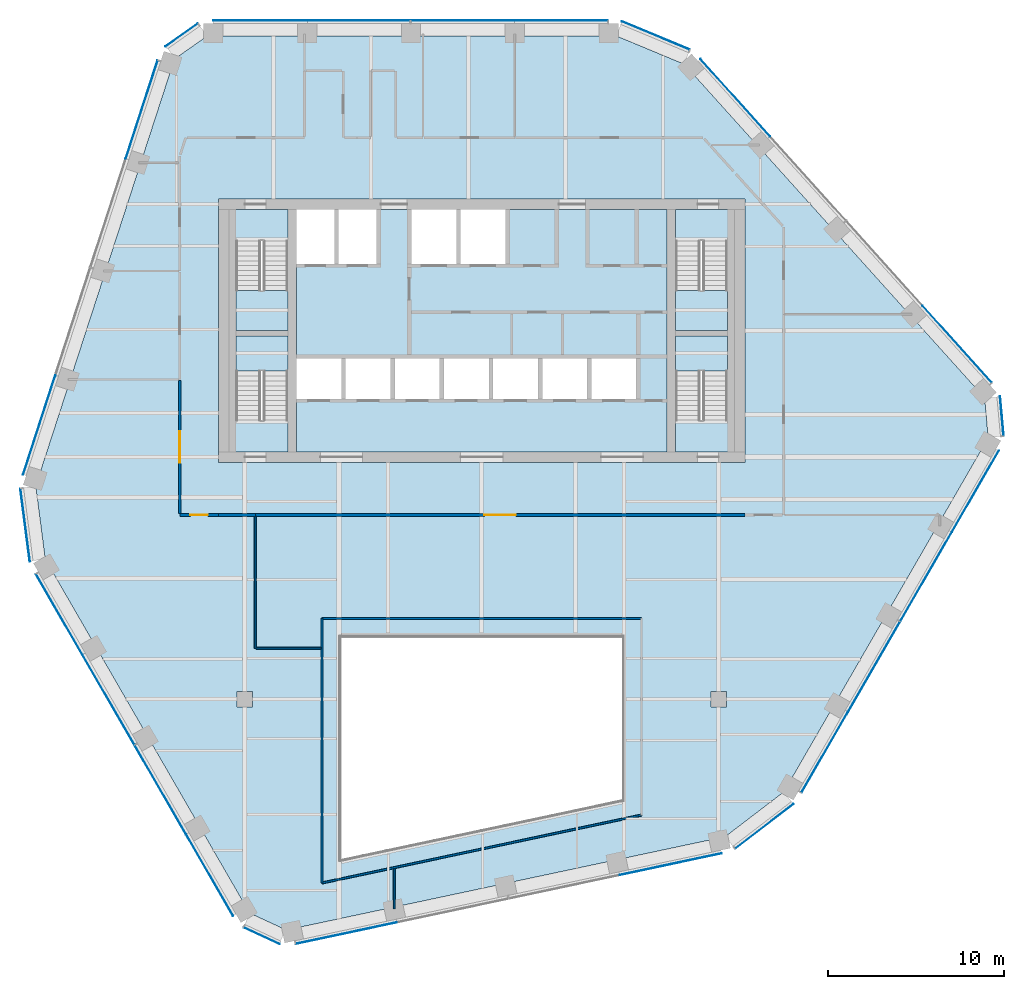
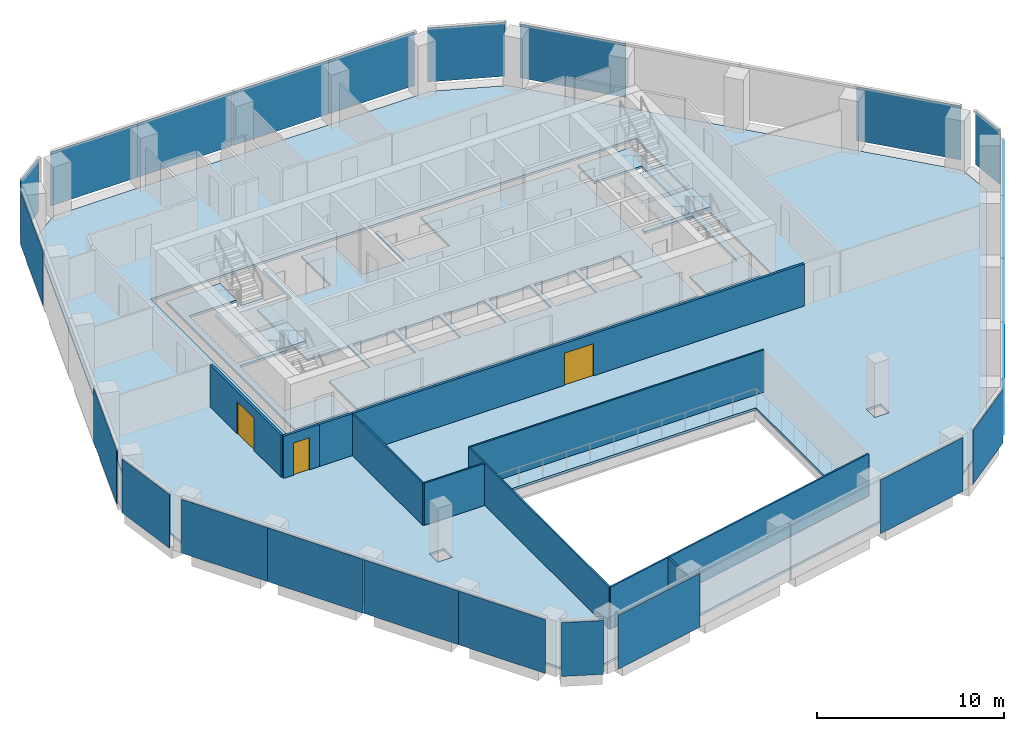
# One storey, part 8 of 15: 24 plates, 10 walls, 8 slabs, 3 doors, 3 openings, 16 elements without a shape of their own.
"""IFC4 building model written with IfcOpenShell, lengths in metres."""

from ifc_helpers import new_model, si_unit, direction, frame, frame_2d, origin, origin_2d, place, context, subcontext, project, spatial, polyline, rectangle, outline, extrude, material, layer, layer_set, type_object, element, fill, aggregate, save


model = new_model("IFC4")

# Units and contexts
model_context = context("Model", 3, precision=1e-05, world=origin(), true_north=direction((0.0, 1.0)))
body_context = subcontext(model_context, "Body", "Model", "MODEL_VIEW")
ifc_project = project(units=[si_unit("LENGTHUNIT", "METRE"), si_unit("AREAUNIT", "SQUARE_METRE"), si_unit("VOLUMEUNIT", "CUBIC_METRE"), si_unit("PLANEANGLEUNIT", "RADIAN"), si_unit("MASSUNIT", "GRAM", prefix="KILO")], contexts=[model_context])

# Site, building, storey
site_placement = place(None, origin())
site = spatial("IfcSite", under=ifc_project, at=site_placement, CompositionType="ELEMENT")
building_placement = place(site_placement, origin())
building = spatial("IfcBuilding", under=site, at=building_placement, Name="Isthmus Gate Tower", CompositionType="ELEMENT")
storey_placement = place(building_placement, frame((0.0, 0.0, 227.25)))
storey = spatial("IfcBuildingStorey", under=building, at=storey_placement, Name="L57", CompositionType="ELEMENT", Elevation=227.25)

# Slabs
ifc_material_1 = material(Name="Concrete f'c 40 MPa", Category="concrete")
ifc_layer_1 = layer(ifc_material_1, 0.14990234375)
ifc_layer_set_1 = layer_set([ifc_layer_1], Name="COMPOSITE FLOOR SLAB 150")
slab_type_1 = type_object("IfcSlabType", Name="COMPOSITE FLOOR SLAB 150", PredefinedType="FLOOR", material=ifc_layer_set_1)
slab_1_placement = place(storey_placement, frame((0.0, 0.0, -0.14990234375)))
element("IfcSlab", 1, at=slab_1_placement, inside=storey, type_object=slab_type_1, Name="str-slab-L57-1", PredefinedType="FLOOR", context=body_context, shape_type="SweptSolid", body=[
    extrude(outline(polyline([(11.539794921875, 22.68310546875), (28.65380859375, 3.67626953125), (28.859375, 1.3857421875), (17.21875, -18.7763671875), (13.874267578125, -21.335205078125), (-11.143310546875, -26.65283203125), (-13.2294921875, -25.685791015625), (-24.8701171875, -5.523681640625), (-25.4140625, -1.347900390625), (-17.510498046875, 22.976806640625), (-15.629638671875, 24.300048828125), (7.6513671875, 24.300048828125), (11.539794921875, 22.68310546875)]), holes=[polyline([(-8.0, -10.0), (-8.0, -22.611083984375), (8.0, -19.210205078125), (8.0, -10.0), (-8.0, -10.0)]), polyline([(-13.949951171875, -13.050048828125), (-13.949951171875, -13.949951171875), (-13.050048828125, -13.949951171875), (-13.050048828125, -13.050048828125), (-13.949951171875, -13.050048828125)]), polyline([(13.050048828125, -13.050048828125), (13.050048828125, -13.949951171875), (13.949951171875, -13.949951171875), (13.949951171875, -13.050048828125), (13.050048828125, -13.050048828125)]), polyline([(-15.0, 0.0), (15.0, 0.0), (15.0, 15.0), (-15.0, 15.0), (-15.0, 0.0)])]), origin(), (0.0, 0.0, 1.0), 0.14990234375),
])
ifc_material_2 = material(Name="Concrete f'c 40 MPa", Category="concrete")
ifc_layer_2 = layer(ifc_material_2, 0.14990234375)
ifc_layer_set_2 = layer_set([ifc_layer_2], Name="CORE FLOOR SLAB 150")
slab_type_2 = type_object("IfcSlabType", Name="CORE FLOOR SLAB 150", PredefinedType="FLOOR", material=ifc_layer_set_2)
slab_2_placement = place(storey_placement, frame((0.0, 0.0, -0.14990234375)))
element("IfcSlab", 2, at=slab_2_placement, inside=storey, type_object=slab_type_2, Name="L57 core floor", PredefinedType="FLOOR", context=body_context, shape_type="SweptSolid", body=[
    extrude(outline(polyline([(-11.050048828125, 0.60009765625), (-11.050048828125, 2.402099609375), (-14.0, 2.402099609375), (-14.0, 7.199951171875), (-11.050048828125, 7.199951171875), (-11.050048828125, 7.5), (-14.0, 7.5), (-14.0, 12.597900390625), (-11.050048828125, 12.597900390625), (-11.050048828125, 14.39990234375), (-14.39990234375, 14.39990234375), (-14.39990234375, 0.60009765625), (-11.050048828125, 0.60009765625)])), origin(), (0.0, 0.0, 1.0), 0.14990234375),
])
slab_3_placement = place(storey_placement, frame((0.0, 0.0, -0.14990234375)))
element("IfcSlab", 3, at=slab_3_placement, inside=storey, type_object=slab_type_2, Name="L57 core floor", PredefinedType="FLOOR", context=body_context, shape_type="SweptSolid", body=[
    extrude(outline(polyline([(10.550048828125, 14.39990234375), (1.35009765625, 14.39990234375), (1.35009765625, 11.300048828125), (-1.199951171875, 11.300048828125), (-1.199951171875, 14.39990234375), (-1.449951171875, 14.39990234375), (-1.449951171875, 11.300048828125), (-4.0, 11.300048828125), (-4.0, 14.39990234375), (-6.0, 14.39990234375), (-6.0, 11.300048828125), (-8.14990234375, 11.300048828125), (-8.14990234375, 14.39990234375), (-8.39990234375, 14.39990234375), (-8.39990234375, 11.300048828125), (-10.550048828125, 11.300048828125), (-10.550048828125, 5.89990234375), (-8.0, 5.89990234375), (-8.0, 3.60009765625), (-10.550048828125, 3.60009765625), (-10.550048828125, 0.60009765625), (10.550048828125, 0.60009765625), (10.550048828125, 14.39990234375)]), holes=[polyline([(-5.199951171875, 5.89990234375), (-5.199951171875, 3.60009765625), (-7.75, 3.60009765625), (-7.75, 5.89990234375), (-5.199951171875, 5.89990234375)]), polyline([(-2.39990234375, 5.89990234375), (-2.39990234375, 3.60009765625), (-4.949951171875, 3.60009765625), (-4.949951171875, 5.89990234375), (-2.39990234375, 5.89990234375)]), polyline([(0.39990234375, 5.89990234375), (0.39990234375, 3.60009765625), (-2.14990234375, 3.60009765625), (-2.14990234375, 5.89990234375), (0.39990234375, 5.89990234375)]), polyline([(3.199951171875, 5.89990234375), (3.199951171875, 3.60009765625), (0.64990234375, 3.60009765625), (0.64990234375, 5.89990234375), (3.199951171875, 5.89990234375)]), polyline([(6.0, 5.89990234375), (6.0, 3.60009765625), (3.449951171875, 3.60009765625), (3.449951171875, 5.89990234375), (6.0, 5.89990234375)]), polyline([(8.800048828125, 5.89990234375), (8.800048828125, 3.60009765625), (6.25, 3.60009765625), (6.25, 5.89990234375), (8.800048828125, 5.89990234375)])]), origin(), (0.0, 0.0, 1.0), 0.14990234375),
])
slab_4_placement = place(storey_placement, frame((0.0, 0.0, -0.14990234375)))
element("IfcSlab", 4, at=slab_4_placement, inside=storey, type_object=slab_type_2, Name="L57 core floor", PredefinedType="FLOOR", context=body_context, shape_type="SweptSolid", body=[
    extrude(outline(polyline([(11.050048828125, 14.39990234375), (11.050048828125, 12.597900390625), (14.0, 12.597900390625), (14.0, 7.5), (11.050048828125, 7.5), (11.050048828125, 7.199951171875), (14.0, 7.199951171875), (14.0, 2.402099609375), (11.050048828125, 2.402099609375), (11.050048828125, 0.60009765625), (14.39990234375, 0.60009765625), (14.39990234375, 14.39990234375), (11.050048828125, 14.39990234375)])), origin(), (0.0, 0.0, 1.0), 0.14990234375),
])

# Curtain wall, plates
ifc_material_3 = material(Name="Aluminium, pale champagne anodised", Category="aluminium")
ifc_layer_3 = layer(ifc_material_3, 0.199951171875)
ifc_layer_set_3 = layer_set([ifc_layer_3], Name="CW-1 UNITISED CURTAIN WALL 200 DEEP")
curtain_wall_type = type_object("IfcCurtainWallType", Name="CW-1 UNITISED CURTAIN WALL 200 DEEP", PredefinedType="NOTDEFINED", material=ifc_layer_set_3)
curtain_wall_1_placement = place(storey_placement, origin())
curtain_wall_1 = element("IfcCurtainWall", 5, at=curtain_wall_1_placement, inside=storey, type_object=curtain_wall_type, Name="CW-1 N L57", PredefinedType="NOTDEFINED")
ifc_material_4 = material(Name="Laminated low-iron glass, pale blue tint", Category="glass")
ifc_layer_4 = layer(ifc_material_4, 0.031982421875)
ifc_layer_set_4 = layer_set([ifc_layer_4], Name="CW-1 CLEAR GLASS LITE 32")
plate_type = type_object("IfcPlateType", Name="CW-1 CLEAR GLASS LITE 32", PredefinedType="CURTAIN_PANEL", material=ifc_layer_set_4)
plate_1_placement = place(storey_placement, frame((4.53076171875, 25.18408203125, 0.0), z_axis=(0.0, 0.0, 1.0), x_axis=(-1.0, 0.0, 0.0)))
plate_1 = element("IfcPlate", 6, at=plate_1_placement, type_object=plate_type, Name="CW-1 glass lite", PredefinedType="CURTAIN_PANEL", context=body_context, shape_type="SweptSolid", body=[
    extrude(rectangle(XDim=5.300537109375, YDim=0.031982421875, at=origin_2d()), origin(), (0.0, 0.0, 1.0), 3.52001953125),
])
plate_2_placement = place(storey_placement, frame((-1.07470703125, 25.18408203125, 0.0), z_axis=(0.0, 0.0, 1.0), x_axis=(-1.0, 0.0, 0.0)))
plate_2 = element("IfcPlate", 7, at=plate_2_placement, type_object=plate_type, Name="CW-1 glass lite", PredefinedType="CURTAIN_PANEL", context=body_context, shape_type="SweptSolid", body=[
    extrude(rectangle(XDim=5.91064453125, YDim=0.031982421875, at=origin_2d()), origin(), (0.0, 0.0, 1.0), 3.52001953125),
])
plate_3_placement = place(storey_placement, frame((-7.015380859375, 25.18408203125, 0.0), z_axis=(0.0, 0.0, 1.0), x_axis=(-1.0, 0.0, 0.0)))
plate_3 = element("IfcPlate", 8, at=plate_3_placement, type_object=plate_type, Name="CW-1 glass lite", PredefinedType="CURTAIN_PANEL", context=body_context, shape_type="SweptSolid", body=[
    extrude(rectangle(XDim=5.8505859375, YDim=0.031982421875, at=origin_2d()), origin(), (0.0, 0.0, 1.0), 3.52001953125),
])
plate_4_placement = place(storey_placement, frame((-12.62109375, 25.18408203125, 0.0), z_axis=(0.0, 0.0, 1.0), x_axis=(-1.0, 0.0, 0.0)))
plate_4 = element("IfcPlate", 9, at=plate_4_placement, type_object=plate_type, Name="CW-1 glass lite", PredefinedType="CURTAIN_PANEL", context=body_context, shape_type="SweptSolid", body=[
    extrude(rectangle(XDim=5.360595703125, YDim=0.031982421875, at=origin_2d()), origin(), (0.0, 0.0, 1.0), 3.52001953125),
])
aggregate(curtain_wall_1, [plate_1, plate_2, plate_3, plate_4])

# Curtain wall, plate
curtain_wall_2_placement = place(storey_placement, origin())
curtain_wall_2 = element("IfcCurtainWall", 10, at=curtain_wall_2_placement, inside=storey, type_object=curtain_wall_type, Name="CW-1 N-NW L57", PredefinedType="NOTDEFINED")
plate_5_placement = place(storey_placement, frame((-17.1025390625, 24.3447265625, 0.0), z_axis=(0.0, 0.0, 1.0), x_axis=(-0.81785959165, -0.57541783805, 0.0)))
plate_5 = element("IfcPlate", 11, at=plate_5_placement, type_object=plate_type, Name="CW-1 glass lite", PredefinedType="CURTAIN_PANEL", context=body_context, shape_type="SweptSolid", body=[
    extrude(rectangle(XDim=2.258544921875, YDim=0.031982421875, at=origin_2d()), origin(), (0.0, 0.0, 1.0), 3.52001953125),
])
aggregate(curtain_wall_2, [plate_5])

# Curtain wall, plates
curtain_wall_3_placement = place(storey_placement, origin())
curtain_wall_3 = element("IfcCurtainWall", 12, at=curtain_wall_3_placement, inside=storey, type_object=curtain_wall_type, Name="CW-1 NW L57", PredefinedType="NOTDEFINED")
plate_6_placement = place(storey_placement, frame((-19.37646484375, 20.0947265625, 0.0), z_axis=(0.0, 0.0, 1.0), x_axis=(-0.309016994375, -0.951056516295, 0.0)))
plate_6 = element("IfcPlate", 13, at=plate_6_placement, type_object=plate_type, Name="CW-1 glass lite", PredefinedType="CURTAIN_PANEL", context=body_context, shape_type="SweptSolid", body=[
    extrude(rectangle(XDim=5.8818359375, YDim=0.031982421875, at=origin_2d()), origin(), (0.0, 0.0, 1.0), 3.52001953125),
])
plate_7_placement = place(storey_placement, frame((-25.215576171875, 2.123779296875, 0.0), z_axis=(0.0, 0.0, 1.0), x_axis=(-0.309016994375, -0.951056516295, 0.0)))
plate_7 = element("IfcPlate", 14, at=plate_7_placement, type_object=plate_type, Name="CW-1 glass lite", PredefinedType="CURTAIN_PANEL", context=body_context, shape_type="SweptSolid", body=[
    extrude(rectangle(XDim=5.94189453125, YDim=0.031982421875, at=origin_2d()), origin(), (0.0, 0.0, 1.0), 3.52001953125),
])
aggregate(curtain_wall_3, [plate_6, plate_7])

# Curtain wall, plate
curtain_wall_4_placement = place(storey_placement, origin())
curtain_wall_4 = element("IfcCurtainWall", 15, at=curtain_wall_4_placement, inside=storey, type_object=curtain_wall_type, Name="CW-1 NW-SW L57", PredefinedType="NOTDEFINED")
plate_8_placement = place(storey_placement, frame((-26.014892578125, -3.57958984375, 0.0), z_axis=(0.0, 0.0, 1.0), x_axis=(0.129164534, -0.991623175988, 0.0)))
plate_8 = element("IfcPlate", 16, at=plate_8_placement, type_object=plate_type, Name="CW-1 glass lite", PredefinedType="CURTAIN_PANEL", context=body_context, shape_type="SweptSolid", body=[
    extrude(rectangle(XDim=4.181396484375, YDim=0.031982421875, at=origin_2d()), origin(), (0.0, 0.0, 1.0), 3.52001953125),
])
aggregate(curtain_wall_4, [plate_8])

# Curtain wall, plates
curtain_wall_5_placement = place(storey_placement, origin())
curtain_wall_5 = element("IfcCurtainWall", 17, at=curtain_wall_5_placement, inside=storey, type_object=curtain_wall_type, Name="CW-1 SW L57", PredefinedType="NOTDEFINED")
plate_9_placement = place(storey_placement, frame((-24.075439453125, -8.668212890625, 0.0), z_axis=(0.0, 0.0, 1.0), x_axis=(0.5, -0.866025403784, 0.0)))
plate_9 = element("IfcPlate", 18, at=plate_9_placement, type_object=plate_type, Name="CW-1 glass lite", PredefinedType="CURTAIN_PANEL", context=body_context, shape_type="SweptSolid", body=[
    extrude(rectangle(XDim=5.300537109375, YDim=0.031982421875, at=origin_2d()), origin(), (0.0, 0.0, 1.0), 3.52001953125),
])
plate_10_placement = place(storey_placement, frame((-21.272705078125, -13.522705078125, 0.0), z_axis=(0.0, 0.0, 1.0), x_axis=(0.5, -0.866025403784, 0.0)))
plate_10 = element("IfcPlate", 19, at=plate_10_placement, type_object=plate_type, Name="CW-1 glass lite", PredefinedType="CURTAIN_PANEL", context=body_context, shape_type="SweptSolid", body=[
    extrude(rectangle(XDim=5.91064453125, YDim=0.031982421875, at=origin_2d()), origin(), (0.0, 0.0, 1.0), 3.52001953125),
])
plate_11_placement = place(storey_placement, frame((-18.30224609375, -18.66748046875, 0.0), z_axis=(0.0, 0.0, 1.0), x_axis=(0.5, -0.866025403784, 0.0)))
plate_11 = element("IfcPlate", 20, at=plate_11_placement, type_object=plate_type, Name="CW-1 glass lite", PredefinedType="CURTAIN_PANEL", context=body_context, shape_type="SweptSolid", body=[
    extrude(rectangle(XDim=5.8505859375, YDim=0.031982421875, at=origin_2d()), origin(), (0.0, 0.0, 1.0), 3.52001953125),
])
plate_12_placement = place(storey_placement, frame((-15.49951171875, -23.52197265625, 0.0), z_axis=(0.0, 0.0, 1.0), x_axis=(0.5, -0.866025403784, 0.0)))
plate_12 = element("IfcPlate", 21, at=plate_12_placement, type_object=plate_type, Name="CW-1 glass lite", PredefinedType="CURTAIN_PANEL", context=body_context, shape_type="SweptSolid", body=[
    extrude(rectangle(XDim=5.360595703125, YDim=0.031982421875, at=origin_2d()), origin(), (0.0, 0.0, 1.0), 3.52001953125),
])
aggregate(curtain_wall_5, [plate_9, plate_10, plate_11, plate_12])

# Curtain wall, plate
curtain_wall_6_placement = place(storey_placement, origin())
curtain_wall_6 = element("IfcCurtainWall", 22, at=curtain_wall_6_placement, inside=storey, type_object=curtain_wall_type, Name="CW-1 SW-S L57", PredefinedType="NOTDEFINED")
plate_13_placement = place(storey_placement, frame((-12.531982421875, -26.9833984375, 0.0), z_axis=(0.0, 0.0, 1.0), x_axis=(0.907256261367, -0.420578264073, 0.0)))
plate_13 = element("IfcPlate", 23, at=plate_13_placement, type_object=plate_type, Name="CW-1 glass lite", PredefinedType="CURTAIN_PANEL", context=body_context, shape_type="SweptSolid", body=[
    extrude(rectangle(XDim=2.258544921875, YDim=0.031982421875, at=origin_2d()), origin(), (0.0, 0.0, 1.0), 3.52001953125),
])
aggregate(curtain_wall_6, [plate_13])

# Curtain wall, plates
curtain_wall_7_placement = place(storey_placement, origin())
curtain_wall_7 = element("IfcCurtainWall", 24, at=curtain_wall_7_placement, inside=storey, type_object=curtain_wall_type, Name="CW-1 S L57", PredefinedType="NOTDEFINED")
plate_14_placement = place(storey_placement, frame((-7.71435546875, -26.827880859375, 0.0), z_axis=(0.0, 0.0, 1.0), x_axis=(0.978147600734, 0.207911690818, 0.0)))
plate_14 = element("IfcPlate", 25, at=plate_14_placement, type_object=plate_type, Name="CW-1 glass lite", PredefinedType="CURTAIN_PANEL", context=body_context, shape_type="SweptSolid", body=[
    extrude(rectangle(XDim=5.8818359375, YDim=0.031982421875, at=origin_2d()), origin(), (0.0, 0.0, 1.0), 3.52001953125),
])
plate_15_placement = place(storey_placement, frame((10.7685546875, -22.899169921875, 0.0), z_axis=(0.0, 0.0, 1.0), x_axis=(0.978147600734, 0.207911690818, 0.0)))
plate_15 = element("IfcPlate", 26, at=plate_15_placement, type_object=plate_type, Name="CW-1 glass lite", PredefinedType="CURTAIN_PANEL", context=body_context, shape_type="SweptSolid", body=[
    extrude(rectangle(XDim=5.94189453125, YDim=0.031982421875, at=origin_2d()), origin(), (0.0, 0.0, 1.0), 3.52001953125),
])
aggregate(curtain_wall_7, [plate_14, plate_15])

# Curtain wall, plate
curtain_wall_8_placement = place(storey_placement, origin())
curtain_wall_8 = element("IfcCurtainWall", 27, at=curtain_wall_8_placement, inside=storey, type_object=curtain_wall_type, Name="CW-1 S-SE L57", PredefinedType="NOTDEFINED")
plate_16_placement = place(storey_placement, frame((16.107421875, -20.73974609375, 0.0), z_axis=(0.0, 0.0, 1.0), x_axis=(0.794188594387, 0.607671355706, 0.0)))
plate_16 = element("IfcPlate", 28, at=plate_16_placement, type_object=plate_type, Name="CW-1 glass lite", PredefinedType="CURTAIN_PANEL", context=body_context, shape_type="SweptSolid", body=[
    extrude(rectangle(XDim=4.181396484375, YDim=0.031982421875, at=origin_2d()), origin(), (0.0, 0.0, 1.0), 3.52001953125),
])
aggregate(curtain_wall_8, [plate_16])

# Curtain wall, plates
curtain_wall_9_placement = place(storey_placement, origin())
curtain_wall_9 = element("IfcCurtainWall", 29, at=curtain_wall_9_placement, inside=storey, type_object=curtain_wall_type, Name="CW-1 SE L57", PredefinedType="NOTDEFINED")
plate_17_placement = place(storey_placement, frame((19.544677734375, -16.515869140625, 0.0), z_axis=(0.0, 0.0, 1.0), x_axis=(0.5, 0.866025403784, 0.0)))
plate_17 = element("IfcPlate", 30, at=plate_17_placement, type_object=plate_type, Name="CW-1 glass lite", PredefinedType="CURTAIN_PANEL", context=body_context, shape_type="SweptSolid", body=[
    extrude(rectangle(XDim=5.300537109375, YDim=0.031982421875, at=origin_2d()), origin(), (0.0, 0.0, 1.0), 3.52001953125),
])
plate_18_placement = place(storey_placement, frame((22.347412109375, -11.6611328125, 0.0), z_axis=(0.0, 0.0, 1.0), x_axis=(0.5, 0.866025403784, 0.0)))
plate_18 = element("IfcPlate", 31, at=plate_18_placement, type_object=plate_type, Name="CW-1 glass lite", PredefinedType="CURTAIN_PANEL", context=body_context, shape_type="SweptSolid", body=[
    extrude(rectangle(XDim=5.91064453125, YDim=0.031982421875, at=origin_2d()), origin(), (0.0, 0.0, 1.0), 3.52001953125),
])
plate_19_placement = place(storey_placement, frame((25.317626953125, -6.5166015625, 0.0), z_axis=(0.0, 0.0, 1.0), x_axis=(0.5, 0.866025403784, 0.0)))
plate_19 = element("IfcPlate", 32, at=plate_19_placement, type_object=plate_type, Name="CW-1 glass lite", PredefinedType="CURTAIN_PANEL", context=body_context, shape_type="SweptSolid", body=[
    extrude(rectangle(XDim=5.8505859375, YDim=0.031982421875, at=origin_2d()), origin(), (0.0, 0.0, 1.0), 3.52001953125),
])
plate_20_placement = place(storey_placement, frame((28.120361328125, -1.661865234375, 0.0), z_axis=(0.0, 0.0, 1.0), x_axis=(0.5, 0.866025403784, 0.0)))
plate_20 = element("IfcPlate", 33, at=plate_20_placement, type_object=plate_type, Name="CW-1 glass lite", PredefinedType="CURTAIN_PANEL", context=body_context, shape_type="SweptSolid", body=[
    extrude(rectangle(XDim=5.360595703125, YDim=0.031982421875, at=origin_2d()), origin(), (0.0, 0.0, 1.0), 3.52001953125),
])
aggregate(curtain_wall_9, [plate_17, plate_18, plate_19, plate_20])

# Curtain wall, plate
curtain_wall_10_placement = place(storey_placement, origin())
curtain_wall_10 = element("IfcCurtainWall", 34, at=curtain_wall_10_placement, inside=storey, type_object=curtain_wall_type, Name="CW-1 SE-NE L57", PredefinedType="NOTDEFINED")
plate_21_placement = place(storey_placement, frame((29.63427734375, 2.638671875, 0.0), z_axis=(0.0, 0.0, 1.0), x_axis=(-0.089396669717, 0.995996102123, 0.0)))
plate_21 = element("IfcPlate", 35, at=plate_21_placement, type_object=plate_type, Name="CW-1 glass lite", PredefinedType="CURTAIN_PANEL", context=body_context, shape_type="SweptSolid", body=[
    extrude(rectangle(XDim=2.258544921875, YDim=0.031982421875, at=origin_2d()), origin(), (0.0, 0.0, 1.0), 3.52001953125),
])
aggregate(curtain_wall_10, [plate_21])

# Curtain wall, plates
curtain_wall_11_placement = place(storey_placement, origin())
curtain_wall_11 = element("IfcCurtainWall", 36, at=curtain_wall_11_placement, inside=storey, type_object=curtain_wall_type, Name="CW-1 NE L57", PredefinedType="NOTDEFINED")
plate_22_placement = place(storey_placement, frame((27.0908203125, 6.733154296875, 0.0), z_axis=(0.0, 0.0, 1.0), x_axis=(-0.669130606359, 0.743144825477, 0.0)))
plate_22 = element("IfcPlate", 37, at=plate_22_placement, type_object=plate_type, Name="CW-1 glass lite", PredefinedType="CURTAIN_PANEL", context=body_context, shape_type="SweptSolid", body=[
    extrude(rectangle(XDim=5.8818359375, YDim=0.031982421875, at=origin_2d()), origin(), (0.0, 0.0, 1.0), 3.52001953125),
])
plate_23_placement = place(storey_placement, frame((14.447021484375, 20.775390625, 0.0), z_axis=(0.0, 0.0, 1.0), x_axis=(-0.669130606359, 0.743144825477, 0.0)))
plate_23 = element("IfcPlate", 38, at=plate_23_placement, type_object=plate_type, Name="CW-1 glass lite", PredefinedType="CURTAIN_PANEL", context=body_context, shape_type="SweptSolid", body=[
    extrude(rectangle(XDim=5.94189453125, YDim=0.031982421875, at=origin_2d()), origin(), (0.0, 0.0, 1.0), 3.52001953125),
])
aggregate(curtain_wall_11, [plate_22, plate_23])

# Curtain wall, plate
curtain_wall_12_placement = place(storey_placement, origin())
curtain_wall_12 = element("IfcCurtainWall", 39, at=curtain_wall_12_placement, inside=storey, type_object=curtain_wall_type, Name="CW-1 NE-N L57", PredefinedType="NOTDEFINED")
plate_24_placement = place(storey_placement, frame((9.907470703125, 24.3193359375, 0.0), z_axis=(0.0, 0.0, 1.0), x_axis=(-0.923353128387, 0.383951820282, 0.0)))
plate_24 = element("IfcPlate", 40, at=plate_24_placement, type_object=plate_type, Name="CW-1 glass lite", PredefinedType="CURTAIN_PANEL", context=body_context, shape_type="SweptSolid", body=[
    extrude(rectangle(XDim=4.181396484375, YDim=0.031982421875, at=origin_2d()), origin(), (0.0, 0.0, 1.0), 3.52001953125),
])
aggregate(curtain_wall_12, [plate_24])

# Stair, slab
ifc_material_5 = material(Name="Concrete f'c 40 MPa", Category="concrete")
stair_type = type_object("IfcStairType", Name="CORE STAIR 22 RISERS", PredefinedType="HALF_TURN_STAIR", material=ifc_material_5)
stair_1_placement = place(storey_placement, origin())
stair_1 = element("IfcStair", 41, at=stair_1_placement, inside=storey, type_object=stair_type, Name="L57 Exit Stair 1", PredefinedType="HALF_TURN_STAIR")
ifc_material_6 = material(Name="Concrete f'c 40 MPa", Category="concrete")
ifc_layer_5 = layer(ifc_material_6, 0.199951171875)
ifc_layer_set_5 = layer_set([ifc_layer_5])
slab_type_3 = type_object("IfcSlabType", Name="STAIR LANDING RC 200", PredefinedType="LANDING", material=ifc_layer_set_5)
slab_5_placement = place(storey_placement, frame((0.0, 0.0, 1.625)))
slab_5 = element("IfcSlab", 42, at=slab_5_placement, type_object=slab_type_3, Name="ST1 landing 1", PredefinedType="LANDING", context=body_context, shape_type="SweptSolid", body=[
    extrude(outline(polyline([(-14.0, 9.800048828125), (-14.0, 7.5), (-11.050048828125, 7.5), (-11.050048828125, 9.800048828125), (-14.0, 9.800048828125)])), origin(), (0.0, 0.0, 1.0), 0.199951171875),
])
aggregate(stair_1, [slab_5])

stair_2_placement = place(storey_placement, origin())
stair_2 = element("IfcStair", 43, at=stair_2_placement, inside=storey, type_object=stair_type, Name="L57 Exit Stair 2", PredefinedType="HALF_TURN_STAIR")
slab_6_placement = place(storey_placement, frame((0.0, 0.0, 1.625)))
slab_6 = element("IfcSlab", 44, at=slab_6_placement, type_object=slab_type_3, Name="ST2 landing 1", PredefinedType="LANDING", context=body_context, shape_type="SweptSolid", body=[
    extrude(outline(polyline([(11.050048828125, 9.800048828125), (11.050048828125, 7.5), (14.0, 7.5), (14.0, 9.800048828125), (11.050048828125, 9.800048828125)])), origin(), (0.0, 0.0, 1.0), 0.199951171875),
])
aggregate(stair_2, [slab_6])

stair_3_placement = place(storey_placement, origin())
stair_3 = element("IfcStair", 45, at=stair_3_placement, inside=storey, type_object=stair_type, Name="L57 Exit Stair 7", PredefinedType="HALF_TURN_STAIR")
slab_7_placement = place(storey_placement, frame((0.0, 0.0, 1.625)))
slab_7 = element("IfcSlab", 46, at=slab_7_placement, type_object=slab_type_3, Name="ST7 landing 1", PredefinedType="LANDING", context=body_context, shape_type="SweptSolid", body=[
    extrude(outline(polyline([(-11.050048828125, 5.199951171875), (-11.050048828125, 7.199951171875), (-14.0, 7.199951171875), (-14.0, 5.199951171875), (-11.050048828125, 5.199951171875)])), origin(), (0.0, 0.0, 1.0), 0.199951171875),
])
aggregate(stair_3, [slab_7])

stair_4_placement = place(storey_placement, origin())
stair_4 = element("IfcStair", 47, at=stair_4_placement, inside=storey, type_object=stair_type, Name="L57 Exit Stair 8", PredefinedType="HALF_TURN_STAIR")
slab_8_placement = place(storey_placement, frame((0.0, 0.0, 1.625)))
slab_8 = element("IfcSlab", 48, at=slab_8_placement, type_object=slab_type_3, Name="ST8 landing 1", PredefinedType="LANDING", context=body_context, shape_type="SweptSolid", body=[
    extrude(outline(polyline([(14.0, 5.199951171875), (14.0, 7.199951171875), (11.050048828125, 7.199951171875), (11.050048828125, 5.199951171875), (14.0, 5.199951171875)])), origin(), (0.0, 0.0, 1.0), 0.199951171875),
])
aggregate(stair_4, [slab_8])

# Walls
ifc_material_7 = material(Name="Fire-rated laminated glass in steel frame", Category="steel")
ifc_layer_6 = layer(ifc_material_7, 0.10009765625)
ifc_layer_set_6 = layer_set([ifc_layer_6], Name="ATRIUM SCREEN GLAZED WALL 100 120 MIN")
wall_type_1 = type_object("IfcWallType", Name="ATRIUM SCREEN GLAZED WALL 100 120 MIN", PredefinedType="PARTITIONING", material=ifc_layer_set_6)
wall_1_placement = place(storey_placement, frame((-9.10009765625, -8.89990234375, 0.0), z_axis=(0.0, 0.0, 1.0), x_axis=(1.0, 0.0, 0.0)))
element("IfcWall", 49, at=wall_1_placement, inside=storey, type_object=wall_type_1, Name="L57 atrium screen", PredefinedType="PARTITIONING", context=body_context, shape_type="SweptSolid", body=[
    extrude(rectangle(XDim=18.2001953125, YDim=0.10009765625, at=frame_2d((9.10009765625, 0.0))), origin(), (0.0, 0.0, 1.0), 2.750732421875),
])
wall_2_placement = place(storey_placement, frame((9.10009765625, -20.100830078125, 0.0), z_axis=(0.0, 0.0, 1.0), x_axis=(-0.978146710971, -0.207915876778, 0.0)))
element("IfcWall", 50, at=wall_2_placement, inside=storey, type_object=wall_type_1, Name="L57 atrium screen", PredefinedType="PARTITIONING", context=body_context, shape_type="SweptSolid", body=[
    extrude(rectangle(XDim=18.60693359375, YDim=0.10009765625, at=frame_2d((9.303466796875, 0.0))), origin(), (0.0, 0.0, 1.0), 2.750732421875),
])
wall_3_placement = place(storey_placement, frame((-9.10009765625, -23.969482421875, 0.0), z_axis=(0.0, 0.0, 1.0), x_axis=(0.0, 1.0, 0.0)))
element("IfcWall", 51, at=wall_3_placement, inside=storey, type_object=wall_type_1, Name="L57 atrium screen", PredefinedType="PARTITIONING", context=body_context, shape_type="SweptSolid", body=[
    extrude(rectangle(XDim=15.069580078125, YDim=0.10009765625, at=frame_2d((7.53466796875, 0.0))), origin(), (0.0, 0.0, 1.0), 2.750732421875),
])
ifc_material_8 = material(Name="Gypsum board on steel studs, fire-rated", Category="steel")
ifc_layer_7 = layer(ifc_material_8, 0.14990234375)
ifc_layer_set_7 = layer_set([ifc_layer_7], Name="CORRIDOR WALL 150 60 MIN")
wall_type_2 = type_object("IfcWallType", Name="CORRIDOR WALL 150 60 MIN", PredefinedType="PARTITIONING", material=ifc_layer_set_7)
wall_4_placement = place(storey_placement, frame((-12.904052734375, -3.0, 0.0), z_axis=(0.0, 0.0, 1.0), x_axis=(-1.0, 0.0, 0.0)))
element("IfcWall", 52, at=wall_4_placement, inside=storey, type_object=wall_type_2, Name="L57 Corridor Wall 150 60 Min", PredefinedType="PARTITIONING", context=body_context, shape_type="SweptSolid", body=[
    extrude(rectangle(XDim=2.095947265625, YDim=0.14990234375, at=frame_2d((1.0478515625, 0.0))), origin(), (0.0, 0.0, 1.0), 2.750732421875),
])

# Wall, opening, door
wall_5_placement = place(storey_placement, frame((15.0, -3.0, 0.0), z_axis=(0.0, 0.0, 1.0), x_axis=(-1.0, 0.0, 0.0)))
wall_5 = element("IfcWall", 53, at=wall_5_placement, inside=storey, type_object=wall_type_2, Name="L57 Corridor Wall 150 60 Min", PredefinedType="PARTITIONING", context=body_context, shape_type="SweptSolid", body=[
    extrude(rectangle(XDim=27.904052734375, YDim=0.14990234375, at=frame_2d((13.9521484375, 0.0))), origin(), (0.0, 0.0, 1.0), 2.750732421875),
])
opening_1_placement = place(wall_5_placement, frame((13.052001953125, 0.0, 0.0)))
opening_1 = element("IfcOpeningElement", 54, at=opening_1_placement, cuts=wall_5, Name="Opening DT-T5B-11", PredefinedType="OPENING", context=body_context, shape_type="SweptSolid", body=[
    extrude(rectangle(XDim=1.800048828125, YDim=2.10009765625, at=frame_2d((0.89990234375, 1.050048828125))), frame((0.0, 0.0849609375, 0.0), z_axis=(0.0, -1.0, 0.0), x_axis=(1.0, 0.0, 0.0)), (0.0, 0.0, 1.0), 0.169921875),
])
ifc_material_9 = material(Name="Solid core timber door leaf, fire-rated", Category="wood")
door_type_1 = type_object("IfcDoorType", Name="FIRE DOOR ROOM 1800 X 2100 60 MIN", OperationType="DOUBLE_DOOR_DOUBLE_SWING", PredefinedType="DOOR", material=ifc_material_9)
door_1_placement = place(opening_1_placement, origin())
door_1 = element("IfcDoor", 55, at=door_1_placement, inside=storey, type_object=door_type_1, Name="L57 room door", OperationType="DOUBLE_DOOR_DOUBLE_SWING", OverallHeight=2.10009765625, OverallWidth=1.800048828125, PredefinedType="DOOR", context=body_context, shape_type="SweptSolid", body=[
    extrude(rectangle(XDim=1.800048828125, YDim=2.10009765625, at=frame_2d((0.89990234375, 1.050048828125))), frame((0.0, 0.02490234375, 0.0), z_axis=(0.0, -1.0, 0.0), x_axis=(1.0, 0.0, 0.0)), (0.0, 0.0, 1.0), 0.050048828125),
])
fill(opening_1, door_1)

wall_6_placement = place(storey_placement, frame((-15.0, -3.0, 0.0), z_axis=(0.0, 0.0, 1.0), x_axis=(-1.0, 0.0, 0.0)))
wall_6 = element("IfcWall", 56, at=wall_6_placement, inside=storey, type_object=wall_type_2, Name="L57 Corridor Wall 150 60 Min", PredefinedType="PARTITIONING", context=body_context, shape_type="SweptSolid", body=[
    extrude(rectangle(XDim=2.199951171875, YDim=0.14990234375, at=frame_2d((1.10009765625, 0.0))), origin(), (0.0, 0.0, 1.0), 2.750732421875),
])
opening_2_placement = place(wall_6_placement, frame((0.60009765625, 0.0, 0.0)))
opening_2 = element("IfcOpeningElement", 57, at=opening_2_placement, cuts=wall_6, Name="Opening DT-T5B-10", PredefinedType="OPENING", context=body_context, shape_type="SweptSolid", body=[
    extrude(rectangle(XDim=1.0, YDim=2.10009765625, at=frame_2d((0.5, 1.050048828125))), frame((0.0, 0.0849609375, 0.0), z_axis=(0.0, -1.0, 0.0), x_axis=(1.0, 0.0, 0.0)), (0.0, 0.0, 1.0), 0.169921875),
])
ifc_material_10 = material(Name="Solid core timber door leaf, fire-rated", Category="wood")
door_type_2 = type_object("IfcDoorType", Name="FIRE DOOR ROOM 1000 X 2100 60 MIN", OperationType="SINGLE_SWING_LEFT", PredefinedType="DOOR", material=ifc_material_10)
door_2_placement = place(opening_2_placement, origin())
door_2 = element("IfcDoor", 58, at=door_2_placement, inside=storey, type_object=door_type_2, Name="L57 room door", OperationType="SINGLE_SWING_RIGHT", OverallHeight=2.10009765625, OverallWidth=1.0, PredefinedType="DOOR", context=body_context, shape_type="SweptSolid", body=[
    extrude(rectangle(XDim=1.0, YDim=2.10009765625, at=frame_2d((0.5, 1.050048828125))), frame((0.0, 0.02490234375, 0.0), z_axis=(0.0, -1.0, 0.0), x_axis=(1.0, 0.0, 0.0)), (0.0, 0.0, 1.0), 0.050048828125),
])
fill(opening_2, door_2)

wall_7_placement = place(storey_placement, frame((-17.199951171875, -2.925048828125, 0.0), z_axis=(0.0, 0.0, 1.0), x_axis=(0.0, 1.0, 0.0)))
wall_7 = element("IfcWall", 59, at=wall_7_placement, inside=storey, type_object=wall_type_2, Name="L57 Corridor Wall 150 60 Min", PredefinedType="PARTITIONING", context=body_context, shape_type="SweptSolid", body=[
    extrude(rectangle(XDim=7.59814453125, YDim=0.14990234375, at=frame_2d((3.799072265625, 0.0))), origin(), (0.0, 0.0, 1.0), 2.750732421875),
])
opening_3_placement = place(wall_7_placement, frame((2.89892578125, 0.0, 0.0)))
opening_3 = element("IfcOpeningElement", 60, at=opening_3_placement, cuts=wall_7, Name="Opening DT-T5B-09", PredefinedType="OPENING", context=body_context, shape_type="SweptSolid", body=[
    extrude(rectangle(XDim=1.800048828125, YDim=2.10009765625, at=frame_2d((0.89990234375, 1.050048828125))), frame((0.0, 0.0849609375, 0.0), z_axis=(0.0, -1.0, 0.0), x_axis=(1.0, 0.0, 0.0)), (0.0, 0.0, 1.0), 0.169921875),
])
door_3_placement = place(opening_3_placement, origin())
door_3 = element("IfcDoor", 61, at=door_3_placement, inside=storey, type_object=door_type_1, Name="L57 room door", OperationType="DOUBLE_DOOR_DOUBLE_SWING", OverallHeight=2.10009765625, OverallWidth=1.800048828125, PredefinedType="DOOR", context=body_context, shape_type="SweptSolid", body=[
    extrude(rectangle(XDim=1.800048828125, YDim=2.10009765625, at=frame_2d((0.89990234375, 1.050048828125))), frame((0.0, 0.02490234375, 0.0), z_axis=(0.0, -1.0, 0.0), x_axis=(1.0, 0.0, 0.0)), (0.0, 0.0, 1.0), 0.050048828125),
])
fill(opening_3, door_3)

# Walls
ifc_material_11 = material(Name="Gypsum board on steel studs, fire-rated", Category="steel")
ifc_layer_8 = layer(ifc_material_11, 0.10009765625)
ifc_layer_set_8 = layer_set([ifc_layer_8], Name="ROOM PARTITION 100 30 MIN")
wall_type_3 = type_object("IfcWallType", Name="ROOM PARTITION 100 30 MIN", PredefinedType="PARTITIONING", material=ifc_layer_set_8)
wall_8_placement = place(storey_placement, frame((-12.904052734375, -10.595947265625, 0.0), z_axis=(0.0, 0.0, 1.0), x_axis=(0.0, 1.0, 0.0)))
element("IfcWall", 62, at=wall_8_placement, inside=storey, type_object=wall_type_3, Name="L57 Room Partition 100 30 Min", PredefinedType="PARTITIONING", context=body_context, shape_type="SweptSolid", body=[
    extrude(rectangle(XDim=7.52099609375, YDim=0.10009765625, at=frame_2d((3.760498046875, 0.0))), origin(), (0.0, 0.0, 1.0), 2.750732421875),
])
wall_9_placement = place(storey_placement, frame((-4.989990234375, -25.447021484375, 0.0), z_axis=(0.0, 0.0, 1.0), x_axis=(0.0, 1.0, 0.0)))
element("IfcWall", 63, at=wall_9_placement, inside=storey, type_object=wall_type_3, Name="L57 Room Partition 100 30 Min", PredefinedType="PARTITIONING", context=body_context, shape_type="SweptSolid", body=[
    extrude(rectangle(XDim=2.300048828125, YDim=0.10009765625, at=frame_2d((1.14990234375, 0.0))), origin(), (0.0, 0.0, 1.0), 2.750732421875),
])
wall_10_placement = place(storey_placement, frame((-12.85400390625, -10.595947265625, 0.0), z_axis=(0.0, 0.0, 1.0), x_axis=(1.0, 0.0, 0.0)))
element("IfcWall", 64, at=wall_10_placement, inside=storey, type_object=wall_type_3, Name="L57 Room Partition 100 30 Min", PredefinedType="PARTITIONING", context=body_context, shape_type="SweptSolid", body=[
    extrude(rectangle(XDim=3.7041015625, YDim=0.10009765625, at=frame_2d((1.85205078125, 0.0))), origin(), (0.0, 0.0, 1.0), 2.750732421875),
])

save(model, "model.ifc")
